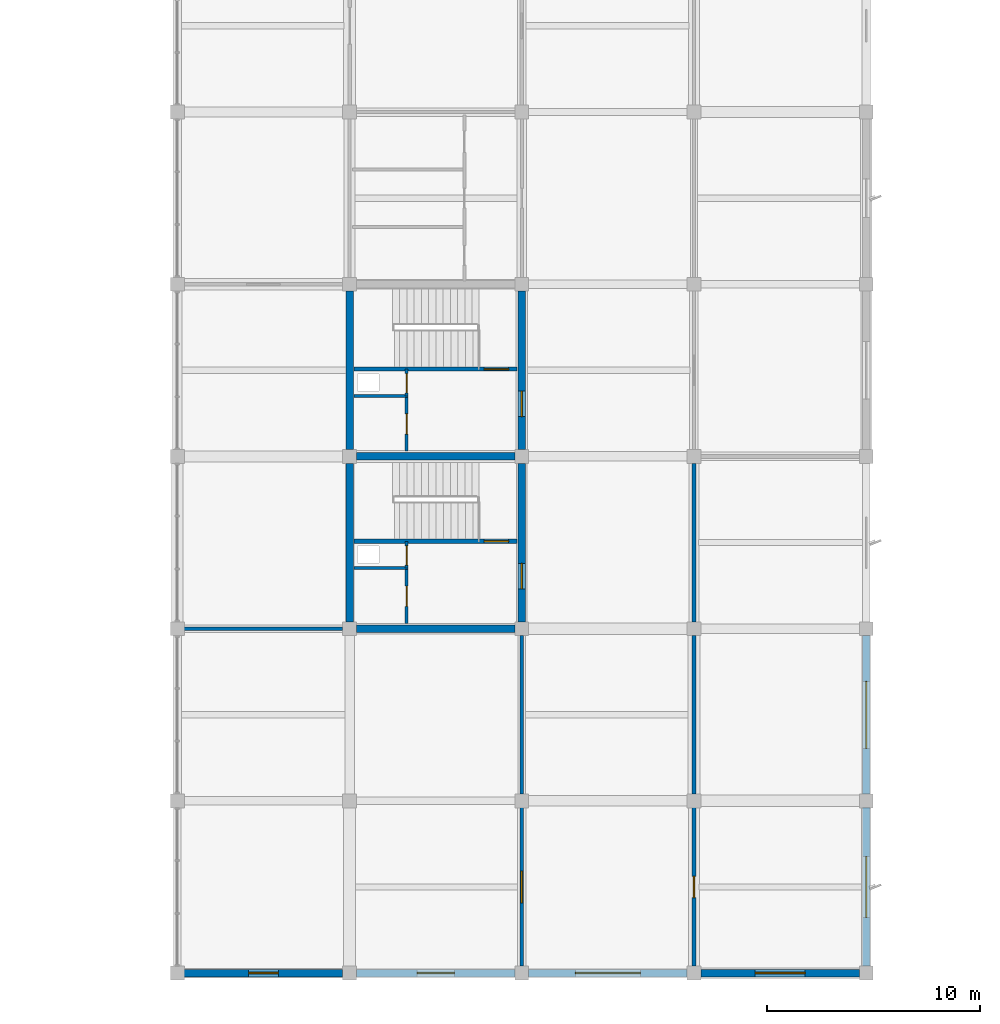
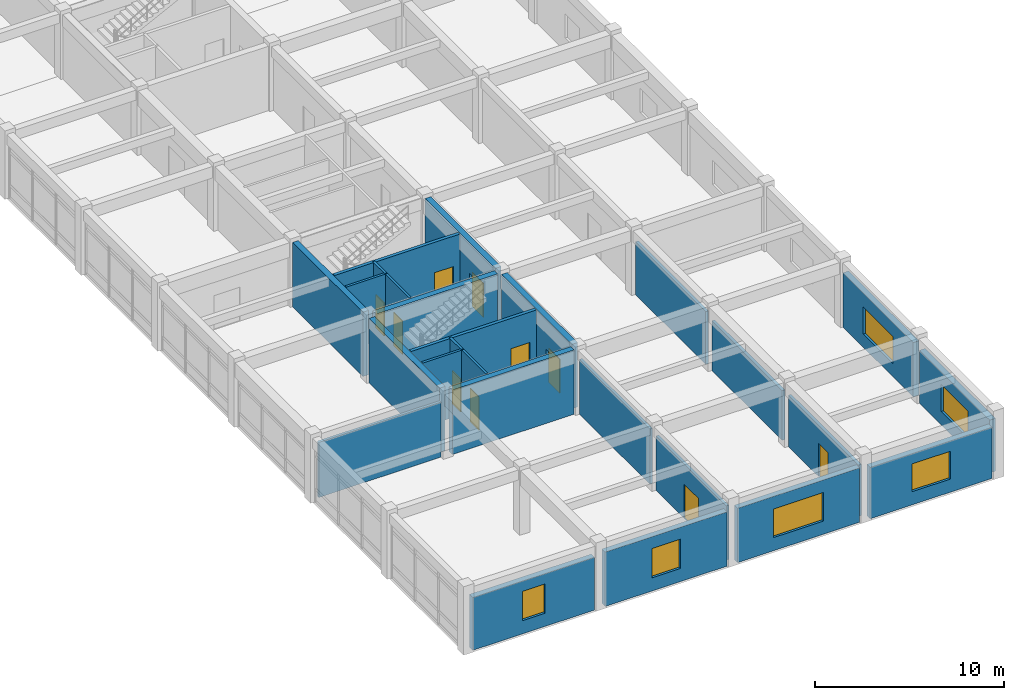
# One storey, part 29 of 40: 26 walls, 10 doors, 6 windows, 16 openings.
"""IFC4 building model written with IfcOpenShell, lengths in metres."""

from ifc_helpers import new_model, si_unit, direction, frame, frame_2d, origin, place, context, subcontext, project, spatial, rectangle, extrude, material, layer, layer_set, type_object, element, fill, save


model = new_model("IFC4")

# Units and contexts
model_context = context("Model", 3, precision=1e-05, world=origin(), true_north=direction((0.0, 1.0)))
body_context = subcontext(model_context, "Body", "Model", "MODEL_VIEW")
ifc_project = project(units=[si_unit("LENGTHUNIT", "METRE"), si_unit("AREAUNIT", "SQUARE_METRE"), si_unit("VOLUMEUNIT", "CUBIC_METRE"), si_unit("PLANEANGLEUNIT", "RADIAN"), si_unit("MASSUNIT", "GRAM", prefix="KILO")], contexts=[model_context])

# Site, building, storey
site_placement = place(None, origin())
site = spatial("IfcSite", under=ifc_project, at=site_placement, CompositionType="ELEMENT")
building_placement = place(site_placement, origin())
building = spatial("IfcBuilding", under=site, at=building_placement, Name="Vaudrelin Polytechnic", CompositionType="ELEMENT")
storey_placement = place(building_placement, frame((0.0, 0.0, 22.949951171875)))
storey = spatial("IfcBuildingStorey", under=building, at=storey_placement, Name="L05", CompositionType="ELEMENT", Elevation=22.949951171875)

# Wall, opening, window
ifc_material_1 = material(Name="Precast concrete 35 MPa with terracotta baguette screen", Category="masonry")
ifc_layer_1 = layer(ifc_material_1, 0.35009765625)
ifc_layer_set_1 = layer_set([ifc_layer_1], Name="Precast concrete 35 MPa with terracotta baguette screen")
wall_type_1 = type_object("IfcWallType", Name="WAL-EW-TERR350", PredefinedType="STANDARD", material=ifc_layer_set_1)
wall_1_placement = place(storey_placement, frame((170.10009765625, 16.52294921875, 0.0), z_axis=(0.0, 0.0, 1.0), x_axis=(0.0, 1.0, 0.0)))
wall_1 = element("IfcWall", 1, at=wall_1_placement, inside=storey, type_object=wall_type_1, Name="Exterior wall L05 E_V4_00", PredefinedType="STANDARD", context=body_context, shape_type="SweptSolid", body=[
    extrude(rectangle(XDim=7.4541015625, YDim=0.35009765625, at=frame_2d((3.72705078125, 0.0))), origin(), (0.0, 0.0, 1.0), 3.412109375),
])
opening_1_placement = place(wall_1_placement, frame((2.302001953125, 0.0, 0.85009765625)))
opening_1 = element("IfcOpeningElement", 2, at=opening_1_placement, cuts=wall_1, Name="Opening W-L05-E-V4-01", PredefinedType="OPENING", context=body_context, shape_type="SweptSolid", body=[
    extrude(rectangle(XDim=2.85009765625, YDim=1.75, at=frame_2d((1.425048828125, 0.875))), frame((0.0, 0.18505859375, 0.0), z_axis=(0.0, -1.0, 0.0), x_axis=(1.0, 0.0, 0.0)), (0.0, 0.0, 1.0), 0.3701171875),
])
ifc_material_2 = material(Name="Thermally broken aluminium frame with triple low-e glazing", Category="aluminium")
window_type_1 = type_object("IfcWindowType", Name="WIN-WN-19", PartitioningType="SINGLE_PANEL", PredefinedType="WINDOW", material=ifc_material_2)
window_1_placement = place(opening_1_placement, origin())
window_1 = element("IfcWindow", 3, at=window_1_placement, inside=storey, type_object=window_type_1, Name="Facade window L05-E_V4_00", OverallHeight=1.75, OverallWidth=2.85009765625, PartitioningType="SINGLE_PANEL", PredefinedType="WINDOW", context=body_context, shape_type="SweptSolid", body=[
    extrude(rectangle(XDim=2.85009765625, YDim=1.75, at=frame_2d((1.425048828125, 0.875))), frame((0.0, 0.030029296875, 0.0), z_axis=(0.0, -1.0, 0.0), x_axis=(1.0, 0.0, 0.0)), (0.0, 0.0, 1.0), 0.06005859375),
])
fill(opening_1, window_1)

wall_2_placement = place(storey_placement, frame((170.10009765625, 24.623046875, 0.0), z_axis=(0.0, 0.0, 1.0), x_axis=(0.0, 1.0, 0.0)))
wall_2 = element("IfcWall", 4, at=wall_2_placement, inside=storey, type_object=wall_type_1, Name="Exterior wall L05 E_V4_01", PredefinedType="STANDARD", context=body_context, shape_type="SweptSolid", body=[
    extrude(rectangle(XDim=7.453857421875, YDim=0.35009765625, at=frame_2d((3.72705078125, 0.0))), origin(), (0.0, 0.0, 1.0), 3.511962890625),
])
opening_2_placement = place(wall_2_placement, frame((2.152099609375, 0.0, 0.85009765625)))
opening_2 = element("IfcOpeningElement", 5, at=opening_2_placement, cuts=wall_2, Name="Opening W-L05-E-V4-02", PredefinedType="OPENING", context=body_context, shape_type="SweptSolid", body=[
    extrude(rectangle(XDim=3.14990234375, YDim=1.75, at=frame_2d((1.574951171875, 0.875))), frame((0.0, 0.18505859375, 0.0), z_axis=(0.0, -1.0, 0.0), x_axis=(1.0, 0.0, 0.0)), (0.0, 0.0, 1.0), 0.3701171875),
])
window_type_2 = type_object("IfcWindowType", Name="WIN-WN-20", PartitioningType="SINGLE_PANEL", PredefinedType="WINDOW", material=ifc_material_2)
window_2_placement = place(opening_2_placement, origin())
window_2 = element("IfcWindow", 6, at=window_2_placement, inside=storey, type_object=window_type_2, Name="Facade window L05-E_V4_01", OverallHeight=1.75, OverallWidth=3.14990234375, PartitioningType="SINGLE_PANEL", PredefinedType="WINDOW", context=body_context, shape_type="SweptSolid", body=[
    extrude(rectangle(XDim=3.14990234375, YDim=1.75, at=frame_2d((1.574951171875, 0.875))), frame((0.0, 0.030029296875, 0.0), z_axis=(0.0, -1.0, 0.0), x_axis=(1.0, 0.0, 0.0)), (0.0, 0.0, 1.0), 0.06005859375),
])
fill(opening_2, window_2)

wall_3_placement = place(storey_placement, frame((138.02294921875, 16.199951171875, 0.0), z_axis=(0.0, 0.0, 1.0), x_axis=(1.0, 0.0, 0.0)))
wall_3 = element("IfcWall", 7, at=wall_3_placement, inside=storey, type_object=wall_type_1, Name="Exterior wall L05 S_V4_00", PredefinedType="STANDARD", context=body_context, shape_type="SweptSolid", body=[
    extrude(rectangle(XDim=7.4541015625, YDim=0.35009765625, at=frame_2d((3.72705078125, 0.0))), origin(), (0.0, 0.0, 1.0), 3.412109375),
])
opening_3_placement = place(wall_3_placement, frame((3.027099609375, 0.0, 0.85009765625)))
opening_3 = element("IfcOpeningElement", 8, at=opening_3_placement, cuts=wall_3, Name="Opening W-L05-S-V4-01", PredefinedType="OPENING", context=body_context, shape_type="SweptSolid", body=[
    extrude(rectangle(XDim=1.39990234375, YDim=1.89990234375, at=frame_2d((0.699951171875, 0.949951171875))), frame((0.0, 0.18505859375, 0.0), z_axis=(0.0, -1.0, 0.0), x_axis=(1.0, 0.0, 0.0)), (0.0, 0.0, 1.0), 0.3701171875),
])
window_type_3 = type_object("IfcWindowType", Name="WIN-WN-28", PartitioningType="SINGLE_PANEL", PredefinedType="WINDOW", material=ifc_material_2)
window_3_placement = place(opening_3_placement, origin())
window_3 = element("IfcWindow", 9, at=window_3_placement, inside=storey, type_object=window_type_3, Name="Facade window L05-S_V4_00", OverallHeight=1.89990234375, OverallWidth=1.39990234375, PartitioningType="SINGLE_PANEL", PredefinedType="WINDOW", context=body_context, shape_type="SweptSolid", body=[
    extrude(rectangle(XDim=1.39990234375, YDim=1.89990234375, at=frame_2d((0.699951171875, 0.949951171875))), frame((0.0, 0.030029296875, 0.0), z_axis=(0.0, -1.0, 0.0), x_axis=(1.0, 0.0, 0.0)), (0.0, 0.0, 1.0), 0.06005859375),
])
fill(opening_3, window_3)

wall_4_placement = place(storey_placement, frame((146.123046875, 16.199951171875, 0.0), z_axis=(0.0, 0.0, 1.0), x_axis=(1.0, 0.0, 0.0)))
wall_4 = element("IfcWall", 10, at=wall_4_placement, inside=storey, type_object=wall_type_1, Name="Exterior wall L05 S_V4_01", PredefinedType="STANDARD", context=body_context, shape_type="SweptSolid", body=[
    extrude(rectangle(XDim=7.453857421875, YDim=0.35009765625, at=frame_2d((3.72705078125, 0.0))), origin(), (0.0, 0.0, 1.0), 3.511962890625),
])
opening_4_placement = place(wall_4_placement, frame((2.85205078125, 0.0, 0.85009765625)))
opening_4 = element("IfcOpeningElement", 11, at=opening_4_placement, cuts=wall_4, Name="Opening W-L05-S-V4-02", PredefinedType="OPENING", context=body_context, shape_type="SweptSolid", body=[
    extrude(rectangle(XDim=1.75, YDim=1.89990234375, at=frame_2d((0.875, 0.949951171875))), frame((0.0, 0.18505859375, 0.0), z_axis=(0.0, -1.0, 0.0), x_axis=(1.0, 0.0, 0.0)), (0.0, 0.0, 1.0), 0.3701171875),
])
window_type_4 = type_object("IfcWindowType", Name="WIN-WN-29", PartitioningType="SINGLE_PANEL", PredefinedType="WINDOW", material=ifc_material_2)
window_4_placement = place(opening_4_placement, origin())
window_4 = element("IfcWindow", 12, at=window_4_placement, inside=storey, type_object=window_type_4, Name="Facade window L05-S_V4_01", OverallHeight=1.89990234375, OverallWidth=1.75, PartitioningType="SINGLE_PANEL", PredefinedType="WINDOW", context=body_context, shape_type="SweptSolid", body=[
    extrude(rectangle(XDim=1.75, YDim=1.89990234375, at=frame_2d((0.875, 0.949951171875))), frame((0.0, 0.030029296875, 0.0), z_axis=(0.0, -1.0, 0.0), x_axis=(1.0, 0.0, 0.0)), (0.0, 0.0, 1.0), 0.06005859375),
])
fill(opening_4, window_4)

wall_5_placement = place(storey_placement, frame((154.222900390625, 16.199951171875, 0.0), z_axis=(0.0, 0.0, 1.0), x_axis=(1.0, 0.0, 0.0)))
wall_5 = element("IfcWall", 13, at=wall_5_placement, inside=storey, type_object=wall_type_1, Name="Exterior wall L05 S_V4_02", PredefinedType="STANDARD", context=body_context, shape_type="SweptSolid", body=[
    extrude(rectangle(XDim=7.4541015625, YDim=0.35009765625, at=frame_2d((3.72705078125, 0.0))), origin(), (0.0, 0.0, 1.0), 3.511962890625),
])
opening_5_placement = place(wall_5_placement, frame((2.201904296875, 0.0, 0.85009765625)))
opening_5 = element("IfcOpeningElement", 14, at=opening_5_placement, cuts=wall_5, Name="Opening W-L05-S-V4-03", PredefinedType="OPENING", context=body_context, shape_type="SweptSolid", body=[
    extrude(rectangle(XDim=3.050048828125, YDim=1.85009765625, at=frame_2d((1.52490234375, 0.925048828125))), frame((0.0, 0.18505859375, 0.0), z_axis=(0.0, -1.0, 0.0), x_axis=(1.0, 0.0, 0.0)), (0.0, 0.0, 1.0), 0.3701171875),
])
window_type_5 = type_object("IfcWindowType", Name="WIN-WN-30", PartitioningType="SINGLE_PANEL", PredefinedType="WINDOW", material=ifc_material_2)
window_5_placement = place(opening_5_placement, origin())
window_5 = element("IfcWindow", 15, at=window_5_placement, inside=storey, type_object=window_type_5, Name="Facade window L05-S_V4_02", OverallHeight=1.85009765625, OverallWidth=3.050048828125, PartitioningType="SINGLE_PANEL", PredefinedType="WINDOW", context=body_context, shape_type="SweptSolid", body=[
    extrude(rectangle(XDim=3.050048828125, YDim=1.85009765625, at=frame_2d((1.52490234375, 0.925048828125))), frame((0.0, 0.030029296875, 0.0), z_axis=(0.0, -1.0, 0.0), x_axis=(1.0, 0.0, 0.0)), (0.0, 0.0, 1.0), 0.06005859375),
])
fill(opening_5, window_5)

wall_6_placement = place(storey_placement, frame((162.322998046875, 16.199951171875, 0.0), z_axis=(0.0, 0.0, 1.0), x_axis=(1.0, 0.0, 0.0)))
wall_6 = element("IfcWall", 16, at=wall_6_placement, inside=storey, type_object=wall_type_1, Name="Exterior wall L05 S_V4_03", PredefinedType="STANDARD", context=body_context, shape_type="SweptSolid", body=[
    extrude(rectangle(XDim=7.4541015625, YDim=0.35009765625, at=frame_2d((3.72705078125, 0.0))), origin(), (0.0, 0.0, 1.0), 3.31201171875),
])
opening_6_placement = place(wall_6_placement, frame((2.552001953125, 0.0, 0.85009765625)))
opening_6 = element("IfcOpeningElement", 17, at=opening_6_placement, cuts=wall_6, Name="Opening W-L05-S-V4-04", PredefinedType="OPENING", context=body_context, shape_type="SweptSolid", body=[
    extrude(rectangle(XDim=2.35009765625, YDim=1.800048828125, at=frame_2d((1.175048828125, 0.89990234375))), frame((0.0, 0.18505859375, 0.0), z_axis=(0.0, -1.0, 0.0), x_axis=(1.0, 0.0, 0.0)), (0.0, 0.0, 1.0), 0.3701171875),
])
window_type_6 = type_object("IfcWindowType", Name="WIN-WN-31", PartitioningType="SINGLE_PANEL", PredefinedType="WINDOW", material=ifc_material_2)
window_6_placement = place(opening_6_placement, origin())
window_6 = element("IfcWindow", 18, at=window_6_placement, inside=storey, type_object=window_type_6, Name="Facade window L05-S_V4_03", OverallHeight=1.800048828125, OverallWidth=2.35009765625, PartitioningType="SINGLE_PANEL", PredefinedType="WINDOW", context=body_context, shape_type="SweptSolid", body=[
    extrude(rectangle(XDim=2.35009765625, YDim=1.800048828125, at=frame_2d((1.175048828125, 0.89990234375))), frame((0.0, 0.030029296875, 0.0), z_axis=(0.0, -1.0, 0.0), x_axis=(1.0, 0.0, 0.0)), (0.0, 0.0, 1.0), 0.06005859375),
])
fill(opening_6, window_6)

# Wall, opening, door
ifc_material_3 = material(Name="Acoustic double-stud gypsum & mineral-wool partition", Category="gypsum")
ifc_layer_2 = layer(ifc_material_3, 0.179931640625)
ifc_layer_set_2 = layer_set([ifc_layer_2], Name="Acoustic double-stud gypsum & mineral-wool partition")
wall_type_2 = type_object("IfcWallType", Name="WAL-PW-AC180", PredefinedType="PARTITIONING", material=ifc_layer_set_2)
wall_7_placement = place(storey_placement, frame((162.0, 16.52294921875, 0.0), z_axis=(0.0, 0.0, 1.0), x_axis=(0.0, 1.0, 0.0)))
wall_7 = element("IfcWall", 19, at=wall_7_placement, inside=storey, type_object=wall_type_2, Name="Partition L05-014 W", PredefinedType="PARTITIONING", context=body_context, shape_type="SweptSolid", body=[
    extrude(rectangle(XDim=7.4541015625, YDim=0.179931640625, at=frame_2d((3.72705078125, 0.0))), origin(), (0.0, 0.0, 1.0), 3.31201171875),
])
opening_7_placement = place(wall_7_placement, frame((3.22705078125, 0.0, 0.0)))
opening_7 = element("IfcOpeningElement", 20, at=opening_7_placement, cuts=wall_7, Name="Opening D-L05-551", PredefinedType="OPENING", context=body_context, shape_type="SweptSolid", body=[
    extrude(rectangle(XDim=1.0, YDim=2.14990234375, at=frame_2d((0.5, 1.074951171875))), frame((0.0, 0.10009765625, 0.0), z_axis=(0.0, -1.0, 0.0), x_axis=(1.0, 0.0, 0.0)), (0.0, 0.0, 1.0), 0.199951171875),
])
ifc_material_4 = material(Name="Solid-core birch veneer acoustic leaf", Category="wood")
door_type_1 = type_object("IfcDoorType", Name="DOR-ID-SEM1", OperationType="NOTDEFINED", PredefinedType="DOOR", material=ifc_material_4)
door_1_placement = place(opening_7_placement, origin())
door_1 = element("IfcDoor", 21, at=door_1_placement, inside=storey, type_object=door_type_1, Name="Seminar Room 501 door L05-014", OperationType="SINGLE_SWING_RIGHT", OverallHeight=2.14990234375, OverallWidth=1.0, PredefinedType="DOOR", context=body_context, shape_type="SweptSolid", body=[
    extrude(rectangle(XDim=1.0, YDim=2.14990234375, at=frame_2d((0.5, 1.074951171875))), frame((0.0, 0.02490234375, 0.0), z_axis=(0.0, -1.0, 0.0), x_axis=(1.0, 0.0, 0.0)), (0.0, 0.0, 1.0), 0.050048828125),
])
fill(opening_7, door_1)

# Walls
wall_8_placement = place(storey_placement, frame((162.0, 24.623046875, 0.0), z_axis=(0.0, 0.0, 1.0), x_axis=(0.0, 1.0, 0.0)))
element("IfcWall", 22, at=wall_8_placement, inside=storey, type_object=wall_type_2, Name="Partition L05-014 W", PredefinedType="PARTITIONING", context=body_context, shape_type="SweptSolid", body=[
    extrude(rectangle(XDim=7.453857421875, YDim=0.179931640625, at=frame_2d((3.72705078125, 0.0))), origin(), (0.0, 0.0, 1.0), 3.212158203125),
])
wall_9_placement = place(storey_placement, frame((162.0, 32.722900390625, 0.0), z_axis=(0.0, 0.0, 1.0), x_axis=(0.0, 1.0, 0.0)))
element("IfcWall", 23, at=wall_9_placement, inside=storey, type_object=wall_type_2, Name="Partition L05-014 W", PredefinedType="PARTITIONING", context=body_context, shape_type="SweptSolid", body=[
    extrude(rectangle(XDim=7.4541015625, YDim=0.179931640625, at=frame_2d((3.72705078125, 0.0))), origin(), (0.0, 0.0, 1.0), 3.412109375),
])

# Wall, opening, door
ifc_material_5 = material(Name="Fire-rated steel-stud gypsum compartment wall", Category="steel")
ifc_layer_3 = layer(ifc_material_5, 0.14990234375)
ifc_layer_set_3 = layer_set([ifc_layer_3], Name="Fire-rated steel-stud gypsum compartment wall")
wall_type_3 = type_object("IfcWallType", Name="WAL-PW-FIRE60", PredefinedType="PARTITIONING", material=ifc_layer_set_3)
wall_10_placement = place(storey_placement, frame((148.47998046875, 35.25, 0.0), z_axis=(0.0, 0.0, 1.0), x_axis=(0.0, 1.0, 0.0)))
wall_10 = element("IfcWall", 24, at=wall_10_placement, inside=storey, type_object=wall_type_3, Name="Core C8 riser enclosure wall L05", PredefinedType="PARTITIONING", context=body_context, shape_type="SweptSolid", body=[
    extrude(rectangle(XDim=1.260009765625, YDim=0.14990234375, at=frame_2d((0.6298828125, 0.0))), origin(), (0.0, 0.0, 1.0), 4.162109375),
])
opening_8_placement = place(wall_10_placement, frame((0.139892578125, 0.0, 0.0)))
opening_8 = element("IfcOpeningElement", 25, at=opening_8_placement, cuts=wall_10, Name="Opening D-L05-164", PredefinedType="OPENING", context=body_context, shape_type="SweptSolid", body=[
    extrude(rectangle(XDim=0.89990234375, YDim=2.14990234375, at=frame_2d((0.449951171875, 1.074951171875))), frame((0.0, 0.0849609375, 0.0), z_axis=(0.0, -1.0, 0.0), x_axis=(1.0, 0.0, 0.0)), (0.0, 0.0, 1.0), 0.169921875),
])
ifc_material_6 = material(Name="Pressed galvanised steel acoustic leaf", Category="steel")
door_type_2 = type_object("IfcDoorType", Name="DOR-ID-RSR1", OperationType="NOTDEFINED", PredefinedType="DOOR", material=ifc_material_6)
door_2_placement = place(opening_8_placement, origin())
door_2 = element("IfcDoor", 26, at=door_2_placement, inside=storey, type_object=door_type_2, Name="Core C8 riser access door L05", OperationType="SINGLE_SWING_RIGHT", OverallHeight=2.14990234375, OverallWidth=0.89990234375, PredefinedType="DOOR", context=body_context, shape_type="SweptSolid", body=[
    extrude(rectangle(XDim=0.89990234375, YDim=2.14990234375, at=frame_2d((0.449951171875, 1.074951171875))), frame((0.0, 0.02490234375, 0.0), z_axis=(0.0, -1.0, 0.0), x_axis=(1.0, 0.0, 0.0)), (0.0, 0.0, 1.0), 0.050048828125),
])
fill(opening_8, door_2)

# Wall
wall_11_placement = place(storey_placement, frame((146.02001953125, 35.25, 0.0), z_axis=(0.0, 0.0, 1.0), x_axis=(1.0, 0.0, 0.0)))
element("IfcWall", 27, at=wall_11_placement, inside=storey, type_object=wall_type_3, Name="Core C8 riser south fire wall L05", PredefinedType="PARTITIONING", context=body_context, shape_type="SweptSolid", body=[
    extrude(rectangle(XDim=2.530029296875, YDim=0.14990234375, at=frame_2d((1.26513671875, 0.0))), origin(), (0.0, 0.0, 1.0), 4.162109375),
])

# Wall, opening, door
wall_12_placement = place(storey_placement, frame((148.47998046875, 32.64990234375, 0.0), z_axis=(0.0, 0.0, 1.0), x_axis=(0.0, 1.0, 0.0)))
wall_12 = element("IfcWall", 28, at=wall_12_placement, inside=storey, type_object=wall_type_3, Name="Core C8 custodial enclosure wall L05", PredefinedType="PARTITIONING", context=body_context, shape_type="SweptSolid", body=[
    extrude(rectangle(XDim=2.60009765625, YDim=0.14990234375, at=frame_2d((1.300048828125, 0.0))), origin(), (0.0, 0.0, 1.0), 4.162109375),
])
opening_9_placement = place(wall_12_placement, frame((0.800048828125, 0.0, 0.0)))
opening_9 = element("IfcOpeningElement", 29, at=opening_9_placement, cuts=wall_12, Name="Opening D-L05-165", PredefinedType="OPENING", context=body_context, shape_type="SweptSolid", body=[
    extrude(rectangle(XDim=0.949951171875, YDim=2.14990234375, at=frame_2d((0.47509765625, 1.074951171875))), frame((0.0, 0.0849609375, 0.0), z_axis=(0.0, -1.0, 0.0), x_axis=(1.0, 0.0, 0.0)), (0.0, 0.0, 1.0), 0.169921875),
])
door_type_3 = type_object("IfcDoorType", Name="DOR-ID-STR1", OperationType="NOTDEFINED", PredefinedType="DOOR", material=ifc_material_6)
door_3_placement = place(opening_9_placement, origin())
door_3 = element("IfcDoor", 30, at=door_3_placement, inside=storey, type_object=door_type_3, Name="Core C8 custodial door L05", OperationType="SINGLE_SWING_RIGHT", OverallHeight=2.14990234375, OverallWidth=0.949951171875, PredefinedType="DOOR", context=body_context, shape_type="SweptSolid", body=[
    extrude(rectangle(XDim=0.949951171875, YDim=2.14990234375, at=frame_2d((0.47509765625, 1.074951171875))), frame((0.0, 0.02490234375, 0.0), z_axis=(0.0, -1.0, 0.0), x_axis=(1.0, 0.0, 0.0)), (0.0, 0.0, 1.0), 0.050048828125),
])
fill(opening_9, door_3)

wall_13_placement = place(storey_placement, frame((148.47998046875, 43.35009765625, 0.0), z_axis=(0.0, 0.0, 1.0), x_axis=(0.0, 1.0, 0.0)))
wall_13 = element("IfcWall", 31, at=wall_13_placement, inside=storey, type_object=wall_type_3, Name="Core C12 riser enclosure wall L05", PredefinedType="PARTITIONING", context=body_context, shape_type="SweptSolid", body=[
    extrude(rectangle(XDim=1.260009765625, YDim=0.14990234375, at=frame_2d((0.6298828125, 0.0))), origin(), (0.0, 0.0, 1.0), 4.162109375),
])
opening_10_placement = place(wall_13_placement, frame((0.139892578125, 0.0, 0.0)))
opening_10 = element("IfcOpeningElement", 32, at=opening_10_placement, cuts=wall_13, Name="Opening D-L05-287", PredefinedType="OPENING", context=body_context, shape_type="SweptSolid", body=[
    extrude(rectangle(XDim=0.89990234375, YDim=2.14990234375, at=frame_2d((0.449951171875, 1.074951171875))), frame((0.0, 0.0849609375, 0.0), z_axis=(0.0, -1.0, 0.0), x_axis=(1.0, 0.0, 0.0)), (0.0, 0.0, 1.0), 0.169921875),
])
door_4_placement = place(opening_10_placement, origin())
door_4 = element("IfcDoor", 33, at=door_4_placement, inside=storey, type_object=door_type_2, Name="Core C12 riser access door L05", OperationType="SINGLE_SWING_RIGHT", OverallHeight=2.14990234375, OverallWidth=0.89990234375, PredefinedType="DOOR", context=body_context, shape_type="SweptSolid", body=[
    extrude(rectangle(XDim=0.89990234375, YDim=2.14990234375, at=frame_2d((0.449951171875, 1.074951171875))), frame((0.0, 0.02490234375, 0.0), z_axis=(0.0, -1.0, 0.0), x_axis=(1.0, 0.0, 0.0)), (0.0, 0.0, 1.0), 0.050048828125),
])
fill(opening_10, door_4)

# Wall
wall_14_placement = place(storey_placement, frame((146.02001953125, 43.35009765625, 0.0), z_axis=(0.0, 0.0, 1.0), x_axis=(1.0, 0.0, 0.0)))
element("IfcWall", 34, at=wall_14_placement, inside=storey, type_object=wall_type_3, Name="Core C12 riser south fire wall L05", PredefinedType="PARTITIONING", context=body_context, shape_type="SweptSolid", body=[
    extrude(rectangle(XDim=2.530029296875, YDim=0.14990234375, at=frame_2d((1.26513671875, 0.0))), origin(), (0.0, 0.0, 1.0), 4.162109375),
])

# Wall, opening, door
wall_15_placement = place(storey_placement, frame((148.47998046875, 40.75, 0.0), z_axis=(0.0, 0.0, 1.0), x_axis=(0.0, 1.0, 0.0)))
wall_15 = element("IfcWall", 35, at=wall_15_placement, inside=storey, type_object=wall_type_3, Name="Core C12 custodial enclosure wall L05", PredefinedType="PARTITIONING", context=body_context, shape_type="SweptSolid", body=[
    extrude(rectangle(XDim=2.60009765625, YDim=0.14990234375, at=frame_2d((1.300048828125, 0.0))), origin(), (0.0, 0.0, 1.0), 4.162109375),
])
opening_11_placement = place(wall_15_placement, frame((0.800048828125, 0.0, 0.0)))
opening_11 = element("IfcOpeningElement", 36, at=opening_11_placement, cuts=wall_15, Name="Opening D-L05-288", PredefinedType="OPENING", context=body_context, shape_type="SweptSolid", body=[
    extrude(rectangle(XDim=0.949951171875, YDim=2.14990234375, at=frame_2d((0.47509765625, 1.074951171875))), frame((0.0, 0.0849609375, 0.0), z_axis=(0.0, -1.0, 0.0), x_axis=(1.0, 0.0, 0.0)), (0.0, 0.0, 1.0), 0.169921875),
])
door_5_placement = place(opening_11_placement, origin())
door_5 = element("IfcDoor", 37, at=door_5_placement, inside=storey, type_object=door_type_3, Name="Core C12 custodial door L05", OperationType="SINGLE_SWING_RIGHT", OverallHeight=2.14990234375, OverallWidth=0.949951171875, PredefinedType="DOOR", context=body_context, shape_type="SweptSolid", body=[
    extrude(rectangle(XDim=0.949951171875, YDim=2.14990234375, at=frame_2d((0.47509765625, 1.074951171875))), frame((0.0, 0.02490234375, 0.0), z_axis=(0.0, -1.0, 0.0), x_axis=(1.0, 0.0, 0.0)), (0.0, 0.0, 1.0), 0.050048828125),
])
fill(opening_11, door_5)

ifc_material_7 = material(Name="Moisture- and chemical-resistant laboratory partition", Category="gypsum")
ifc_layer_4 = layer(ifc_material_7, 0.159912109375)
ifc_layer_set_4 = layer_set([ifc_layer_4], Name="Moisture- and chemical-resistant laboratory partition")
wall_type_4 = type_object("IfcWallType", Name="WAL-PW-LAB160", PredefinedType="PARTITIONING", material=ifc_layer_set_4)
wall_16_placement = place(storey_placement, frame((153.89990234375, 16.52294921875, 0.0), z_axis=(0.0, 0.0, 1.0), x_axis=(0.0, 1.0, 0.0)))
wall_16 = element("IfcWall", 38, at=wall_16_placement, inside=storey, type_object=wall_type_4, Name="Partition L05-007 E", PredefinedType="PARTITIONING", context=body_context, shape_type="SweptSolid", body=[
    extrude(rectangle(XDim=7.4541015625, YDim=0.159912109375, at=frame_2d((3.72705078125, 0.0))), origin(), (0.0, 0.0, 1.0), 3.511962890625),
])
opening_12_placement = place(wall_16_placement, frame((2.97705078125, 0.0, 0.0)))
opening_12 = element("IfcOpeningElement", 39, at=opening_12_placement, cuts=wall_16, Name="Opening D-L05-545", PredefinedType="OPENING", context=body_context, shape_type="SweptSolid", body=[
    extrude(rectangle(XDim=1.5, YDim=2.199951171875, at=frame_2d((0.75, 1.10009765625))), frame((0.0, 0.08984375, 0.0), z_axis=(0.0, -1.0, 0.0), x_axis=(1.0, 0.0, 0.0)), (0.0, 0.0, 1.0), 0.179931640625),
])
door_type_4 = type_object("IfcDoorType", Name="DOR-ID-LAB1", OperationType="NOTDEFINED", PredefinedType="DOOR", material=ifc_material_6)
door_6_placement = place(opening_12_placement, origin())
door_6 = element("IfcDoor", 40, at=door_6_placement, inside=storey, type_object=door_type_4, Name="Smart-Grid and Renewable Energy Laboratory door L05-007", OperationType="DOUBLE_SWING_LEFT", OverallHeight=2.199951171875, OverallWidth=1.5, PredefinedType="DOOR", context=body_context, shape_type="SweptSolid", body=[
    extrude(rectangle(XDim=1.5, YDim=2.199951171875, at=frame_2d((0.75, 1.10009765625))), frame((0.0, 0.02490234375, 0.0), z_axis=(0.0, -1.0, 0.0), x_axis=(1.0, 0.0, 0.0)), (0.0, 0.0, 1.0), 0.050048828125),
])
fill(opening_12, door_6)

# Walls
wall_17_placement = place(storey_placement, frame((153.89990234375, 24.623046875, 0.0), z_axis=(0.0, 0.0, 1.0), x_axis=(0.0, 1.0, 0.0)))
element("IfcWall", 41, at=wall_17_placement, inside=storey, type_object=wall_type_4, Name="Partition L05-007 E", PredefinedType="PARTITIONING", context=body_context, shape_type="SweptSolid", body=[
    extrude(rectangle(XDim=7.453857421875, YDim=0.159912109375, at=frame_2d((3.72705078125, 0.0))), origin(), (0.0, 0.0, 1.0), 3.56201171875),
])
wall_18_placement = place(storey_placement, frame((138.02294921875, 32.39990234375, 0.0), z_axis=(0.0, 0.0, 1.0), x_axis=(1.0, 0.0, 0.0)))
element("IfcWall", 42, at=wall_18_placement, inside=storey, type_object=wall_type_4, Name="Partition L05-007 N", PredefinedType="PARTITIONING", context=body_context, shape_type="SweptSolid", body=[
    extrude(rectangle(XDim=7.4541015625, YDim=0.159912109375, at=frame_2d((3.72705078125, 0.0))), origin(), (0.0, 0.0, 1.0), 3.56201171875),
])

# Wall, opening, door
ifc_material_8 = material(Name="Concrete 40 MPa", Category="concrete")
ifc_layer_5 = layer(ifc_material_8, 0.199951171875)
ifc_layer_set_5 = layer_set([ifc_layer_5], Name="Concrete 40 MPa")
wall_type_5 = type_object("IfcWallType", Name="WAL-SW-CORE200", PredefinedType="SHEAR", material=ifc_layer_set_5)
wall_19_placement = place(storey_placement, frame((146.02001953125, 36.510009765625, 0.0), z_axis=(0.0, 0.0, 1.0), x_axis=(1.0, 0.0, 0.0)))
wall_19 = element("IfcWall", 43, at=wall_19_placement, inside=storey, type_object=wall_type_5, Name="Core C8 stair enclosure wall L05", PredefinedType="SHEAR", context=body_context, shape_type="SweptSolid", body=[
    extrude(rectangle(XDim=7.659912109375, YDim=0.199951171875, at=frame_2d((3.830078125, 0.0))), origin(), (0.0, 0.0, 1.0), 4.162109375),
])
opening_13_placement = place(wall_19_placement, frame((6.110107421875, 0.0, 0.0)))
opening_13 = element("IfcOpeningElement", 44, at=opening_13_placement, cuts=wall_19, Name="Opening D-L05-163", PredefinedType="OPENING", context=body_context, shape_type="SweptSolid", body=[
    extrude(rectangle(XDim=1.14990234375, YDim=2.199951171875, at=frame_2d((0.574951171875, 1.10009765625))), frame((0.0, 0.10986328125, 0.0), z_axis=(0.0, -1.0, 0.0), x_axis=(1.0, 0.0, 0.0)), (0.0, 0.0, 1.0), 0.219970703125),
])
door_type_5 = type_object("IfcDoorType", Name="DOR-ID-ST1", OperationType="NOTDEFINED", PredefinedType="DOOR", material=ifc_material_6)
door_7_placement = place(opening_13_placement, origin())
door_7 = element("IfcDoor", 45, at=door_7_placement, inside=storey, type_object=door_type_5, Name="Core C8 exit stair door L05", OperationType="SINGLE_SWING_LEFT", OverallHeight=2.199951171875, OverallWidth=1.14990234375, PredefinedType="DOOR", context=body_context, shape_type="SweptSolid", body=[
    extrude(rectangle(XDim=1.14990234375, YDim=2.199951171875, at=frame_2d((0.574951171875, 1.10009765625))), frame((0.0, 0.02490234375, 0.0), z_axis=(0.0, -1.0, 0.0), x_axis=(1.0, 0.0, 0.0)), (0.0, 0.0, 1.0), 0.050048828125),
])
fill(opening_13, door_7)

wall_20_placement = place(storey_placement, frame((146.02001953125, 44.610107421875, 0.0), z_axis=(0.0, 0.0, 1.0), x_axis=(1.0, 0.0, 0.0)))
wall_20 = element("IfcWall", 46, at=wall_20_placement, inside=storey, type_object=wall_type_5, Name="Core C12 stair enclosure wall L05", PredefinedType="SHEAR", context=body_context, shape_type="SweptSolid", body=[
    extrude(rectangle(XDim=7.659912109375, YDim=0.199951171875, at=frame_2d((3.830078125, 0.0))), origin(), (0.0, 0.0, 1.0), 4.162109375),
])
opening_14_placement = place(wall_20_placement, frame((6.110107421875, 0.0, 0.0)))
opening_14 = element("IfcOpeningElement", 47, at=opening_14_placement, cuts=wall_20, Name="Opening D-L05-286", PredefinedType="OPENING", context=body_context, shape_type="SweptSolid", body=[
    extrude(rectangle(XDim=1.14990234375, YDim=2.199951171875, at=frame_2d((0.574951171875, 1.10009765625))), frame((0.0, 0.10986328125, 0.0), z_axis=(0.0, -1.0, 0.0), x_axis=(1.0, 0.0, 0.0)), (0.0, 0.0, 1.0), 0.219970703125),
])
door_8_placement = place(opening_14_placement, origin())
door_8 = element("IfcDoor", 48, at=door_8_placement, inside=storey, type_object=door_type_5, Name="Core C12 exit stair door L05", OperationType="SINGLE_SWING_LEFT", OverallHeight=2.199951171875, OverallWidth=1.14990234375, PredefinedType="DOOR", context=body_context, shape_type="SweptSolid", body=[
    extrude(rectangle(XDim=1.14990234375, YDim=2.199951171875, at=frame_2d((0.574951171875, 1.10009765625))), frame((0.0, 0.02490234375, 0.0), z_axis=(0.0, -1.0, 0.0), x_axis=(1.0, 0.0, 0.0)), (0.0, 0.0, 1.0), 0.050048828125),
])
fill(opening_14, door_8)

# Walls
ifc_material_9 = material(Name="Concrete 50 MPa", Category="concrete")
ifc_layer_6 = layer(ifc_material_9, 0.35009765625)
ifc_layer_set_6 = layer_set([ifc_layer_6], Name="Concrete 50 MPa")
wall_type_6 = type_object("IfcWallType", Name="WAL-SW-CORE350", PredefinedType="SHEAR", material=ifc_layer_set_6)
wall_21_placement = place(storey_placement, frame((146.123046875, 40.5, 0.0), z_axis=(0.0, 0.0, 1.0), x_axis=(1.0, 0.0, 0.0)))
element("IfcWall", 49, at=wall_21_placement, inside=storey, type_object=wall_type_6, Name="Core C8 N shear wall L05", PredefinedType="SHEAR", context=body_context, shape_type="SweptSolid", body=[
    extrude(rectangle(XDim=7.453857421875, YDim=0.35009765625, at=frame_2d((3.72705078125, 0.0))), origin(), (0.0, 0.0, 1.0), 4.162109375),
])
wall_22_placement = place(storey_placement, frame((145.800048828125, 32.722900390625, 0.0), z_axis=(0.0, 0.0, 1.0), x_axis=(0.0, 1.0, 0.0)))
element("IfcWall", 50, at=wall_22_placement, inside=storey, type_object=wall_type_6, Name="Core C8 W shear wall L05", PredefinedType="SHEAR", context=body_context, shape_type="SweptSolid", body=[
    extrude(rectangle(XDim=7.4541015625, YDim=0.35009765625, at=frame_2d((3.72705078125, 0.0))), origin(), (0.0, 0.0, 1.0), 4.162109375),
])

# Wall, opening, door
wall_23_placement = place(storey_placement, frame((153.89990234375, 32.722900390625, 0.0), z_axis=(0.0, 0.0, 1.0), x_axis=(0.0, 1.0, 0.0)))
wall_23 = element("IfcWall", 51, at=wall_23_placement, inside=storey, type_object=wall_type_6, Name="Core C8 E shear wall L05", PredefinedType="SHEAR", context=body_context, shape_type="SweptSolid", body=[
    extrude(rectangle(XDim=7.4541015625, YDim=0.35009765625, at=frame_2d((3.72705078125, 0.0))), origin(), (0.0, 0.0, 1.0), 4.162109375),
])
opening_15_placement = place(wall_23_placement, frame((1.550048828125, 0.0, 0.0)))
opening_15 = element("IfcOpeningElement", 52, at=opening_15_placement, cuts=wall_23, Name="Opening D-L05-162", PredefinedType="OPENING", context=body_context, shape_type="SweptSolid", body=[
    extrude(rectangle(XDim=1.199951171875, YDim=2.199951171875, at=frame_2d((0.60009765625, 1.10009765625))), frame((0.0, 0.18505859375, 0.0), z_axis=(0.0, -1.0, 0.0), x_axis=(1.0, 0.0, 0.0)), (0.0, 0.0, 1.0), 0.3701171875),
])
door_type_6 = type_object("IfcDoorType", Name="DOR-ID-LB1", OperationType="NOTDEFINED", PredefinedType="DOOR", material=ifc_material_6)
door_9_placement = place(opening_15_placement, origin())
door_9 = element("IfcDoor", 53, at=door_9_placement, inside=storey, type_object=door_type_6, Name="Core C8 lobby fire door L05", OperationType="SINGLE_SWING_RIGHT", OverallHeight=2.199951171875, OverallWidth=1.199951171875, PredefinedType="DOOR", context=body_context, shape_type="SweptSolid", body=[
    extrude(rectangle(XDim=1.199951171875, YDim=2.199951171875, at=frame_2d((0.60009765625, 1.10009765625))), frame((0.0, 0.02490234375, 0.0), z_axis=(0.0, -1.0, 0.0), x_axis=(1.0, 0.0, 0.0)), (0.0, 0.0, 1.0), 0.050048828125),
])
fill(opening_15, door_9)

# Walls
wall_24_placement = place(storey_placement, frame((146.123046875, 32.39990234375, 0.0), z_axis=(0.0, 0.0, 1.0), x_axis=(1.0, 0.0, 0.0)))
element("IfcWall", 54, at=wall_24_placement, inside=storey, type_object=wall_type_6, Name="Core C8 S shear wall L05", PredefinedType="SHEAR", context=body_context, shape_type="SweptSolid", body=[
    extrude(rectangle(XDim=7.453857421875, YDim=0.35009765625, at=frame_2d((3.72705078125, 0.0))), origin(), (0.0, 0.0, 1.0), 4.162109375),
])
wall_25_placement = place(storey_placement, frame((145.800048828125, 40.822998046875, 0.0), z_axis=(0.0, 0.0, 1.0), x_axis=(0.0, 1.0, 0.0)))
element("IfcWall", 55, at=wall_25_placement, inside=storey, type_object=wall_type_6, Name="Core C12 W shear wall L05", PredefinedType="SHEAR", context=body_context, shape_type="SweptSolid", body=[
    extrude(rectangle(XDim=7.4541015625, YDim=0.35009765625, at=frame_2d((3.72705078125, 0.0))), origin(), (0.0, 0.0, 1.0), 4.162109375),
])

# Wall, opening, door
wall_26_placement = place(storey_placement, frame((153.89990234375, 40.822998046875, 0.0), z_axis=(0.0, 0.0, 1.0), x_axis=(0.0, 1.0, 0.0)))
wall_26 = element("IfcWall", 56, at=wall_26_placement, inside=storey, type_object=wall_type_6, Name="Core C12 E shear wall L05", PredefinedType="SHEAR", context=body_context, shape_type="SweptSolid", body=[
    extrude(rectangle(XDim=7.4541015625, YDim=0.35009765625, at=frame_2d((3.72705078125, 0.0))), origin(), (0.0, 0.0, 1.0), 4.162109375),
])
opening_16_placement = place(wall_26_placement, frame((1.550048828125, 0.0, 0.0)))
opening_16 = element("IfcOpeningElement", 57, at=opening_16_placement, cuts=wall_26, Name="Opening D-L05-285", PredefinedType="OPENING", context=body_context, shape_type="SweptSolid", body=[
    extrude(rectangle(XDim=1.199951171875, YDim=2.199951171875, at=frame_2d((0.60009765625, 1.10009765625))), frame((0.0, 0.18505859375, 0.0), z_axis=(0.0, -1.0, 0.0), x_axis=(1.0, 0.0, 0.0)), (0.0, 0.0, 1.0), 0.3701171875),
])
door_10_placement = place(opening_16_placement, origin())
door_10 = element("IfcDoor", 58, at=door_10_placement, inside=storey, type_object=door_type_6, Name="Core C12 lobby fire door L05", OperationType="SINGLE_SWING_LEFT", OverallHeight=2.199951171875, OverallWidth=1.199951171875, PredefinedType="DOOR", context=body_context, shape_type="SweptSolid", body=[
    extrude(rectangle(XDim=1.199951171875, YDim=2.199951171875, at=frame_2d((0.60009765625, 1.10009765625))), frame((0.0, 0.02490234375, 0.0), z_axis=(0.0, -1.0, 0.0), x_axis=(1.0, 0.0, 0.0)), (0.0, 0.0, 1.0), 0.050048828125),
])
fill(opening_16, door_10)

save(model, "model.ifc")
